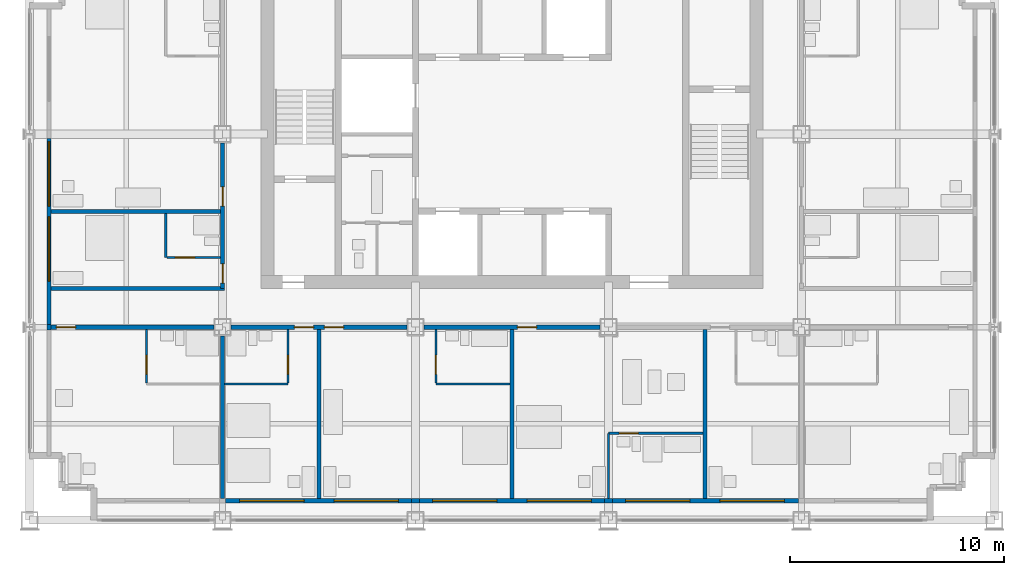
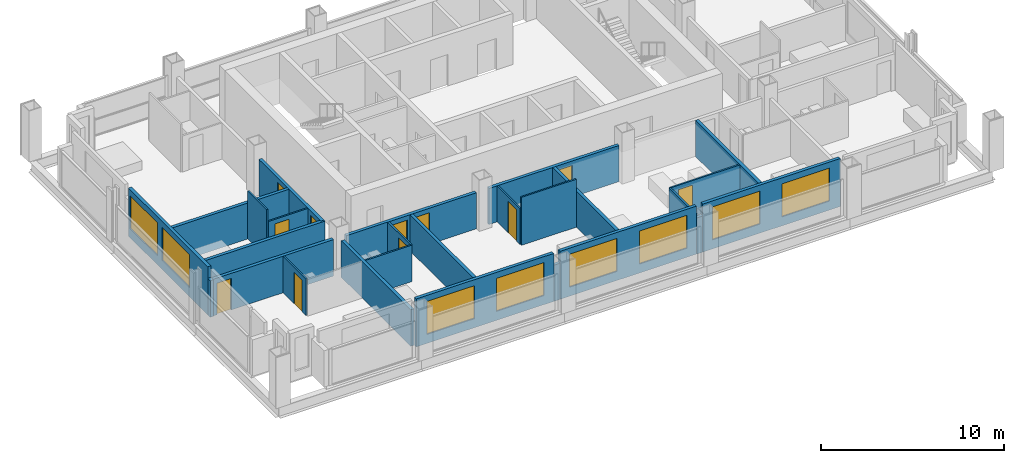
# One storey, part 7 of 13: 26 walls, 11 doors, 8 windows, 19 openings.
"""IFC4 building model written with IfcOpenShell, lengths in metres."""

from ifc_helpers import new_model, si_unit, direction, frame, frame_2d, origin, place, context, subcontext, project, spatial, rectangle, extrude, material, layer, layer_set, type_object, element, fill, save


model = new_model("IFC4")

# Units and contexts
model_context = context("Model", 3, precision=1e-05, world=origin(), true_north=direction((0.0, 1.0)))
body_context = subcontext(model_context, "Body", "Model", "MODEL_VIEW")
ifc_project = project(units=[si_unit("LENGTHUNIT", "METRE"), si_unit("AREAUNIT", "SQUARE_METRE"), si_unit("VOLUMEUNIT", "CUBIC_METRE"), si_unit("PLANEANGLEUNIT", "RADIAN"), si_unit("MASSUNIT", "GRAM", prefix="KILO")], contexts=[model_context])

# Site, building, storey
site_placement = place(None, origin())
site = spatial("IfcSite", under=ifc_project, at=site_placement, CompositionType="ELEMENT")
building_placement = place(site_placement, origin())
building = spatial("IfcBuilding", under=site, at=building_placement, Name="Loomwork Tower", CompositionType="ELEMENT")
storey_placement = place(building_placement, frame((0.0, 0.0, 204.60009765625)))
storey = spatial("IfcBuildingStorey", under=building, at=storey_placement, Name="L56", CompositionType="ELEMENT", Elevation=204.60009765625)

# Wall, opening, door
ifc_material_1 = material(Name="Gypsum board on steel studs, one-hour", Category="steel")
ifc_layer_1 = layer(ifc_material_1, 0.199951171875)
ifc_layer_set_1 = layer_set([ifc_layer_1], Name="Corridor wall 200")
wall_type_1 = type_object("IfcWallType", Name="Corridor wall 200", PredefinedType="PARTITIONING", material=ifc_layer_set_1)
wall_1_placement = place(storey_placement, frame((1.0, 9.0, 0.0), z_axis=(0.0, 0.0, 1.0), x_axis=(1.0, 0.0, 0.0)))
wall_1 = element("IfcWall", 1, at=wall_1_placement, inside=storey, type_object=wall_type_1, Name="South corridor wall 1", PredefinedType="PARTITIONING", context=body_context, shape_type="SweptSolid", body=[
    extrude(rectangle(XDim=7.60009765625, YDim=0.199951171875, at=frame_2d((3.800048828125, 0.0))), origin(), (0.0, 0.0, 1.0), 2.43798828125),
])
opening_1_placement = place(wall_1_placement, frame((0.25, 0.0, 0.0)))
opening_1 = element("IfcOpeningElement", 2, at=opening_1_placement, cuts=wall_1, Name="Opening D1", PredefinedType="OPENING", context=body_context, shape_type="SweptSolid", body=[
    extrude(rectangle(XDim=0.89990234375, YDim=2.10009765625, at=frame_2d((0.449951171875, 1.050048828125))), frame((0.0, 0.10986328125, 0.0), z_axis=(0.0, -1.0, 0.0), x_axis=(1.0, 0.0, 0.0)), (0.0, 0.0, 1.0), 0.219970703125),
])
ifc_material_2 = material(Name="Hollow metal door and frame")
door_type_1 = type_object("IfcDoorType", Name="Guest room entry door 900", OperationType="SINGLE_SWING_LEFT", PredefinedType="DOOR", material=ifc_material_2)
door_1_placement = place(opening_1_placement, frame((0.89990234375, 0.0, 0.0), z_axis=(0.0, 0.0, 1.0), x_axis=(-1.0, 0.0, 0.0)))
door_1 = element("IfcDoor", 3, at=door_1_placement, inside=storey, type_object=door_type_1, Name="Guest room entry door L56 1", OperationType="SINGLE_SWING_RIGHT", OverallHeight=2.10009765625, OverallWidth=0.89990234375, PredefinedType="DOOR", context=body_context, shape_type="SweptSolid", body=[
    extrude(rectangle(XDim=0.89990234375, YDim=2.10009765625, at=frame_2d((0.449951171875, 1.050048828125))), frame((0.0, 0.02490234375, 0.0), z_axis=(0.0, -1.0, 0.0), x_axis=(1.0, 0.0, 0.0)), (0.0, 0.0, 1.0), 0.050048828125),
])
fill(opening_1, door_1)

# Wall, openings, doors
wall_2_placement = place(storey_placement, frame((9.39990234375, 9.0, 0.0), z_axis=(0.0, 0.0, 1.0), x_axis=(1.0, 0.0, 0.0)))
wall_2 = element("IfcWall", 4, at=wall_2_placement, inside=storey, type_object=wall_type_1, Name="South corridor wall 2", PredefinedType="PARTITIONING", context=body_context, shape_type="SweptSolid", body=[
    extrude(rectangle(XDim=8.2001953125, YDim=0.199951171875, at=frame_2d((4.10009765625, 0.0))), origin(), (0.0, 0.0, 1.0), 2.40478515625),
])
opening_2_placement = place(wall_2_placement, frame((2.949951171875, 0.0, 0.0)))
opening_2 = element("IfcOpeningElement", 5, at=opening_2_placement, cuts=wall_2, Name="Opening D1", PredefinedType="OPENING", context=body_context, shape_type="SweptSolid", body=[
    extrude(rectangle(XDim=0.89990234375, YDim=2.10009765625, at=frame_2d((0.449951171875, 1.050048828125))), frame((0.0, 0.10986328125, 0.0), z_axis=(0.0, -1.0, 0.0), x_axis=(1.0, 0.0, 0.0)), (0.0, 0.0, 1.0), 0.219970703125),
])
opening_3_placement = place(wall_2_placement, frame((4.35009765625, 0.0, 0.0)))
opening_3 = element("IfcOpeningElement", 6, at=opening_3_placement, cuts=wall_2, Name="Opening D1", PredefinedType="OPENING", context=body_context, shape_type="SweptSolid", body=[
    extrude(rectangle(XDim=0.89990234375, YDim=2.10009765625, at=frame_2d((0.449951171875, 1.050048828125))), frame((0.0, 0.10986328125, 0.0), z_axis=(0.0, -1.0, 0.0), x_axis=(1.0, 0.0, 0.0)), (0.0, 0.0, 1.0), 0.219970703125),
])
door_2_placement = place(opening_2_placement, frame((0.89990234375, 0.0, 0.0), z_axis=(0.0, 0.0, 1.0), x_axis=(-1.0, 0.0, 0.0)))
door_2 = element("IfcDoor", 7, at=door_2_placement, inside=storey, type_object=door_type_1, Name="Guest room entry door L56 2", OperationType="SINGLE_SWING_LEFT", OverallHeight=2.10009765625, OverallWidth=0.89990234375, PredefinedType="DOOR", context=body_context, shape_type="SweptSolid", body=[
    extrude(rectangle(XDim=0.89990234375, YDim=2.10009765625, at=frame_2d((0.449951171875, 1.050048828125))), frame((0.0, 0.02490234375, 0.0), z_axis=(0.0, -1.0, 0.0), x_axis=(1.0, 0.0, 0.0)), (0.0, 0.0, 1.0), 0.050048828125),
])
fill(opening_2, door_2)
door_3_placement = place(opening_3_placement, frame((0.89990234375, 0.0, 0.0), z_axis=(0.0, 0.0, 1.0), x_axis=(-1.0, 0.0, 0.0)))
door_3 = element("IfcDoor", 8, at=door_3_placement, inside=storey, type_object=door_type_1, Name="Guest room entry door L56 3", OperationType="SINGLE_SWING_RIGHT", OverallHeight=2.10009765625, OverallWidth=0.89990234375, PredefinedType="DOOR", context=body_context, shape_type="SweptSolid", body=[
    extrude(rectangle(XDim=0.89990234375, YDim=2.10009765625, at=frame_2d((0.449951171875, 1.050048828125))), frame((0.0, 0.02490234375, 0.0), z_axis=(0.0, -1.0, 0.0), x_axis=(1.0, 0.0, 0.0)), (0.0, 0.0, 1.0), 0.050048828125),
])
fill(opening_3, door_3)

# Wall, opening, door
wall_3_placement = place(storey_placement, frame((18.39990234375, 9.0, 0.0), z_axis=(0.0, 0.0, 1.0), x_axis=(1.0, 0.0, 0.0)))
wall_3 = element("IfcWall", 9, at=wall_3_placement, inside=storey, type_object=wall_type_1, Name="South corridor wall 3", PredefinedType="PARTITIONING", context=body_context, shape_type="SweptSolid", body=[
    extrude(rectangle(XDim=8.2001953125, YDim=0.199951171875, at=frame_2d((4.10009765625, 0.0))), origin(), (0.0, 0.0, 1.0), 2.40478515625),
])
opening_4_placement = place(wall_3_placement, frame((4.35009765625, 0.0, 0.0)))
opening_4 = element("IfcOpeningElement", 10, at=opening_4_placement, cuts=wall_3, Name="Opening D1", PredefinedType="OPENING", context=body_context, shape_type="SweptSolid", body=[
    extrude(rectangle(XDim=0.89990234375, YDim=2.10009765625, at=frame_2d((0.449951171875, 1.050048828125))), frame((0.0, 0.10986328125, 0.0), z_axis=(0.0, -1.0, 0.0), x_axis=(1.0, 0.0, 0.0)), (0.0, 0.0, 1.0), 0.219970703125),
])
door_4_placement = place(opening_4_placement, frame((0.89990234375, 0.0, 0.0), z_axis=(0.0, 0.0, 1.0), x_axis=(-1.0, 0.0, 0.0)))
door_4 = element("IfcDoor", 11, at=door_4_placement, inside=storey, type_object=door_type_1, Name="Guest room entry door L56 4", OperationType="SINGLE_SWING_RIGHT", OverallHeight=2.10009765625, OverallWidth=0.89990234375, PredefinedType="DOOR", context=body_context, shape_type="SweptSolid", body=[
    extrude(rectangle(XDim=0.89990234375, YDim=2.10009765625, at=frame_2d((0.449951171875, 1.050048828125))), frame((0.0, 0.02490234375, 0.0), z_axis=(0.0, -1.0, 0.0), x_axis=(1.0, 0.0, 0.0)), (0.0, 0.0, 1.0), 0.050048828125),
])
fill(opening_4, door_4)

# Wall, openings, doors
wall_4_placement = place(storey_placement, frame((9.0, 10.800048828125, 0.0), z_axis=(0.0, 0.0, 1.0), x_axis=(0.0, 1.0, 0.0)))
wall_4 = element("IfcWall", 12, at=wall_4_placement, inside=storey, type_object=wall_type_1, Name="West corridor wall 1", PredefinedType="PARTITIONING", context=body_context, shape_type="SweptSolid", body=[
    extrude(rectangle(XDim=6.800048828125, YDim=0.199951171875, at=frame_2d((3.39990234375, 0.0))), origin(), (0.0, 0.0, 1.0), 2.40478515625),
])
opening_5_placement = place(wall_4_placement, frame((0.25, 0.0, 0.0)))
opening_5 = element("IfcOpeningElement", 13, at=opening_5_placement, cuts=wall_4, Name="Opening D1", PredefinedType="OPENING", context=body_context, shape_type="SweptSolid", body=[
    extrude(rectangle(XDim=0.89990234375, YDim=2.10009765625, at=frame_2d((0.449951171875, 1.050048828125))), frame((0.0, 0.10986328125, 0.0), z_axis=(0.0, -1.0, 0.0), x_axis=(1.0, 0.0, 0.0)), (0.0, 0.0, 1.0), 0.219970703125),
])
opening_6_placement = place(wall_4_placement, frame((3.85009765625, 0.0, 0.0)))
opening_6 = element("IfcOpeningElement", 14, at=opening_6_placement, cuts=wall_4, Name="Opening D1", PredefinedType="OPENING", context=body_context, shape_type="SweptSolid", body=[
    extrude(rectangle(XDim=0.89990234375, YDim=2.10009765625, at=frame_2d((0.449951171875, 1.050048828125))), frame((0.0, 0.10986328125, 0.0), z_axis=(0.0, -1.0, 0.0), x_axis=(1.0, 0.0, 0.0)), (0.0, 0.0, 1.0), 0.219970703125),
])
door_5_placement = place(opening_5_placement, origin())
door_5 = element("IfcDoor", 15, at=door_5_placement, inside=storey, type_object=door_type_1, Name="Guest room entry door L56 7", OperationType="SINGLE_SWING_LEFT", OverallHeight=2.10009765625, OverallWidth=0.89990234375, PredefinedType="DOOR", context=body_context, shape_type="SweptSolid", body=[
    extrude(rectangle(XDim=0.89990234375, YDim=2.10009765625, at=frame_2d((0.449951171875, 1.050048828125))), frame((0.0, 0.02490234375, 0.0), z_axis=(0.0, -1.0, 0.0), x_axis=(1.0, 0.0, 0.0)), (0.0, 0.0, 1.0), 0.050048828125),
])
fill(opening_5, door_5)
door_6_placement = place(opening_6_placement, origin())
door_6 = element("IfcDoor", 16, at=door_6_placement, inside=storey, type_object=door_type_1, Name="Guest room entry door L56 8", OperationType="SINGLE_SWING_LEFT", OverallHeight=2.10009765625, OverallWidth=0.89990234375, PredefinedType="DOOR", context=body_context, shape_type="SweptSolid", body=[
    extrude(rectangle(XDim=0.89990234375, YDim=2.10009765625, at=frame_2d((0.449951171875, 1.050048828125))), frame((0.0, 0.02490234375, 0.0), z_axis=(0.0, -1.0, 0.0), x_axis=(1.0, 0.0, 0.0)), (0.0, 0.0, 1.0), 0.050048828125),
])
fill(opening_6, door_6)

# Wall
wall_5_placement = place(storey_placement, frame((1.0, 10.800048828125, 0.0), z_axis=(0.0, 0.0, 1.0), x_axis=(1.0, 0.0, 0.0)))
element("IfcWall", 17, at=wall_5_placement, inside=storey, type_object=wall_type_1, Name="West band end wall S", PredefinedType="PARTITIONING", context=body_context, shape_type="SweptSolid", body=[
    extrude(rectangle(XDim=8.10009765625, YDim=0.199951171875, at=frame_2d((4.050048828125, 0.0))), origin(), (0.0, 0.0, 1.0), 2.40380859375),
])

# Wall, opening, door
ifc_material_3 = material(Name="Cement board on steel studs", Category="steel")
ifc_layer_2 = layer(ifc_material_3, 0.10009765625)
ifc_layer_set_2 = layer_set([ifc_layer_2], Name="En-suite partition 100")
wall_type_2 = type_object("IfcWallType", Name="En-suite partition 100", PredefinedType="PARTITIONING", material=ifc_layer_set_2)
wall_6_placement = place(storey_placement, frame((5.449951171875, 8.89990234375, 0.0), z_axis=(0.0, 0.0, 1.0), x_axis=(0.0, -1.0, 0.0)))
wall_6 = element("IfcWall", 18, at=wall_6_placement, inside=storey, type_object=wall_type_2, Name="En-suite side wall L56 room 1", PredefinedType="PARTITIONING", context=body_context, shape_type="SweptSolid", body=[
    extrude(rectangle(XDim=2.5, YDim=0.10009765625, at=frame_2d((1.25, 0.0))), origin(), (0.0, 0.0, 1.0), 2.43798828125),
])
opening_7_placement = place(wall_6_placement, frame((1.199951171875, 0.0, 0.0)))
opening_7 = element("IfcOpeningElement", 19, at=opening_7_placement, cuts=wall_6, Name="Opening D3", PredefinedType="OPENING", context=body_context, shape_type="SweptSolid", body=[
    extrude(rectangle(XDim=0.89990234375, YDim=2.10009765625, at=frame_2d((0.449951171875, 1.050048828125))), frame((0.0, 0.06005859375, 0.0), z_axis=(0.0, -1.0, 0.0), x_axis=(1.0, 0.0, 0.0)), (0.0, 0.0, 1.0), 0.1201171875),
])
ifc_material_4 = material(Name="Hollow metal door and frame")
door_type_2 = type_object("IfcDoorType", Name="Accessible en-suite door 900", OperationType="SLIDING_TO_LEFT", PredefinedType="DOOR", material=ifc_material_4)
door_7_placement = place(opening_7_placement, origin())
door_7 = element("IfcDoor", 20, at=door_7_placement, inside=storey, type_object=door_type_2, Name="Accessible en-suite door room 1", OperationType="SLIDING_TO_LEFT", OverallHeight=2.10009765625, OverallWidth=0.89990234375, PredefinedType="DOOR", context=body_context, shape_type="SweptSolid", body=[
    extrude(rectangle(XDim=0.89990234375, YDim=2.10009765625, at=frame_2d((0.449951171875, 1.050048828125))), frame((0.0, 0.02490234375, 0.0), z_axis=(0.0, -1.0, 0.0), x_axis=(1.0, 0.0, 0.0)), (0.0, 0.0, 1.0), 0.050048828125),
])
fill(opening_7, door_7)

# Wall
wall_7_placement = place(storey_placement, frame((9.10009765625, 6.35009765625, 0.0), z_axis=(0.0, 0.0, 1.0), x_axis=(1.0, 0.0, 0.0)))
element("IfcWall", 21, at=wall_7_placement, inside=storey, type_object=wall_type_2, Name="En-suite wall L56 room 2", PredefinedType="PARTITIONING", context=body_context, shape_type="SweptSolid", body=[
    extrude(rectangle(XDim=2.949951171875, YDim=0.10009765625, at=frame_2d((1.47509765625, 0.0))), origin(), (0.0, 0.0, 1.0), 2.43798828125),
])

# Wall, opening, door
wall_8_placement = place(storey_placement, frame((12.050048828125, 8.89990234375, 0.0), z_axis=(0.0, 0.0, 1.0), x_axis=(0.0, -1.0, 0.0)))
wall_8 = element("IfcWall", 22, at=wall_8_placement, inside=storey, type_object=wall_type_2, Name="En-suite side wall L56 room 2", PredefinedType="PARTITIONING", context=body_context, shape_type="SweptSolid", body=[
    extrude(rectangle(XDim=2.5, YDim=0.10009765625, at=frame_2d((1.25, 0.0))), origin(), (0.0, 0.0, 1.0), 2.40380859375),
])
opening_8_placement = place(wall_8_placement, frame((1.199951171875, 0.0, 0.0)))
opening_8 = element("IfcOpeningElement", 23, at=opening_8_placement, cuts=wall_8, Name="Opening D2", PredefinedType="OPENING", context=body_context, shape_type="SweptSolid", body=[
    extrude(rectangle(XDim=0.89990234375, YDim=2.10009765625, at=frame_2d((0.449951171875, 1.050048828125))), frame((0.0, 0.06005859375, 0.0), z_axis=(0.0, -1.0, 0.0), x_axis=(1.0, 0.0, 0.0)), (0.0, 0.0, 1.0), 0.1201171875),
])
ifc_material_5 = material(Name="Hollow metal door and frame")
door_type_3 = type_object("IfcDoorType", Name="En-suite door 900", OperationType="SINGLE_SWING_LEFT", PredefinedType="DOOR", material=ifc_material_5)
door_8_placement = place(opening_8_placement, frame((0.89990234375, 0.0, 0.0), z_axis=(0.0, 0.0, 1.0), x_axis=(-1.0, 0.0, 0.0)))
door_8 = element("IfcDoor", 24, at=door_8_placement, inside=storey, type_object=door_type_3, Name="En-suite door room 2", OperationType="SINGLE_SWING_LEFT", OverallHeight=2.10009765625, OverallWidth=0.89990234375, PredefinedType="DOOR", context=body_context, shape_type="SweptSolid", body=[
    extrude(rectangle(XDim=0.89990234375, YDim=2.10009765625, at=frame_2d((0.449951171875, 1.050048828125))), frame((0.0, 0.02490234375, 0.0), z_axis=(0.0, -1.0, 0.0), x_axis=(1.0, 0.0, 0.0)), (0.0, 0.0, 1.0), 0.050048828125),
])
fill(opening_8, door_8)

# Wall
wall_9_placement = place(storey_placement, frame((18.949951171875, 6.35009765625, 0.0), z_axis=(0.0, 0.0, 1.0), x_axis=(1.0, 0.0, 0.0)))
element("IfcWall", 25, at=wall_9_placement, inside=storey, type_object=wall_type_2, Name="En-suite wall L56 room 3", PredefinedType="PARTITIONING", context=body_context, shape_type="SweptSolid", body=[
    extrude(rectangle(XDim=3.449951171875, YDim=0.10009765625, at=frame_2d((1.72509765625, 0.0))), origin(), (0.0, 0.0, 1.0), 3.199951171875),
])

# Wall, opening, door
wall_10_placement = place(storey_placement, frame((18.949951171875, 8.89990234375, 0.0), z_axis=(0.0, 0.0, 1.0), x_axis=(0.0, -1.0, 0.0)))
wall_10 = element("IfcWall", 26, at=wall_10_placement, inside=storey, type_object=wall_type_2, Name="En-suite side wall L56 room 3", PredefinedType="PARTITIONING", context=body_context, shape_type="SweptSolid", body=[
    extrude(rectangle(XDim=2.5, YDim=0.10009765625, at=frame_2d((1.25, 0.0))), origin(), (0.0, 0.0, 1.0), 2.40380859375),
])
opening_9_placement = place(wall_10_placement, frame((1.199951171875, 0.0, 0.0)))
opening_9 = element("IfcOpeningElement", 27, at=opening_9_placement, cuts=wall_10, Name="Opening D2", PredefinedType="OPENING", context=body_context, shape_type="SweptSolid", body=[
    extrude(rectangle(XDim=0.89990234375, YDim=2.10009765625, at=frame_2d((0.449951171875, 1.050048828125))), frame((0.0, 0.06005859375, 0.0), z_axis=(0.0, -1.0, 0.0), x_axis=(1.0, 0.0, 0.0)), (0.0, 0.0, 1.0), 0.1201171875),
])
door_9_placement = place(opening_9_placement, origin())
door_9 = element("IfcDoor", 28, at=door_9_placement, inside=storey, type_object=door_type_3, Name="En-suite door room 3", OperationType="SINGLE_SWING_RIGHT", OverallHeight=2.10009765625, OverallWidth=0.89990234375, PredefinedType="DOOR", context=body_context, shape_type="SweptSolid", body=[
    extrude(rectangle(XDim=0.89990234375, YDim=2.10009765625, at=frame_2d((0.449951171875, 1.050048828125))), frame((0.0, 0.02490234375, 0.0), z_axis=(0.0, -1.0, 0.0), x_axis=(1.0, 0.0, 0.0)), (0.0, 0.0, 1.0), 0.050048828125),
])
fill(opening_9, door_9)

wall_11_placement = place(storey_placement, frame((27.0, 4.050048828125, 0.0), z_axis=(0.0, 0.0, 1.0), x_axis=(1.0, 0.0, 0.0)))
wall_11 = element("IfcWall", 29, at=wall_11_placement, inside=storey, type_object=wall_type_2, Name="Spa bathroom wall L56 room 4", PredefinedType="PARTITIONING", context=body_context, shape_type="SweptSolid", body=[
    extrude(rectangle(XDim=4.39990234375, YDim=0.10009765625, at=frame_2d((2.199951171875, 0.0))), origin(), (0.0, 0.0, 1.0), 2.40380859375),
])
opening_10_placement = place(wall_11_placement, frame((0.5, 0.0, 0.0)))
opening_10 = element("IfcOpeningElement", 30, at=opening_10_placement, cuts=wall_11, Name="Opening D2", PredefinedType="OPENING", context=body_context, shape_type="SweptSolid", body=[
    extrude(rectangle(XDim=0.89990234375, YDim=2.10009765625, at=frame_2d((0.449951171875, 1.050048828125))), frame((0.0, 0.06005859375, 0.0), z_axis=(0.0, -1.0, 0.0), x_axis=(1.0, 0.0, 0.0)), (0.0, 0.0, 1.0), 0.1201171875),
])
door_10_placement = place(opening_10_placement, frame((0.89990234375, 0.0, 0.0), z_axis=(0.0, 0.0, 1.0), x_axis=(-1.0, 0.0, 0.0)))
door_10 = element("IfcDoor", 31, at=door_10_placement, inside=storey, type_object=door_type_3, Name="Spa bathroom door room 4", OperationType="SINGLE_SWING_RIGHT", OverallHeight=2.10009765625, OverallWidth=0.89990234375, PredefinedType="DOOR", context=body_context, shape_type="SweptSolid", body=[
    extrude(rectangle(XDim=0.89990234375, YDim=2.10009765625, at=frame_2d((0.449951171875, 1.050048828125))), frame((0.0, 0.02490234375, 0.0), z_axis=(0.0, -1.0, 0.0), x_axis=(1.0, 0.0, 0.0)), (0.0, 0.0, 1.0), 0.050048828125),
])
fill(opening_10, door_10)

# Walls
wall_12_placement = place(storey_placement, frame((27.0, 4.050048828125, 0.0), z_axis=(0.0, 0.0, 1.0), x_axis=(0.0, -1.0, 0.0)))
element("IfcWall", 32, at=wall_12_placement, inside=storey, type_object=wall_type_2, Name="Spa bathroom side wall L56 room 4", PredefinedType="PARTITIONING", context=body_context, shape_type="SweptSolid", body=[
    extrude(rectangle(XDim=3.050048828125, YDim=0.10009765625, at=frame_2d((1.52490234375, 0.0))), origin(), (0.0, 0.0, 1.0), 2.40478515625),
])
wall_13_placement = place(storey_placement, frame((6.35009765625, 12.25, 0.0), z_axis=(0.0, 0.0, 1.0), x_axis=(0.0, 1.0, 0.0)))
element("IfcWall", 33, at=wall_13_placement, inside=storey, type_object=wall_type_2, Name="En-suite wall L56 room 7", PredefinedType="PARTITIONING", context=body_context, shape_type="SweptSolid", body=[
    extrude(rectangle(XDim=2.050048828125, YDim=0.10009765625, at=frame_2d((1.02490234375, 0.0))), origin(), (0.0, 0.0, 1.0), 3.199951171875),
])

# Wall, opening, door
wall_14_placement = place(storey_placement, frame((8.89990234375, 12.25, 0.0), z_axis=(0.0, 0.0, 1.0), x_axis=(-1.0, 0.0, 0.0)))
wall_14 = element("IfcWall", 34, at=wall_14_placement, inside=storey, type_object=wall_type_2, Name="En-suite side wall L56 room 7", PredefinedType="PARTITIONING", context=body_context, shape_type="SweptSolid", body=[
    extrude(rectangle(XDim=2.5, YDim=0.10009765625, at=frame_2d((1.25, 0.0))), origin(), (0.0, 0.0, 1.0), 2.40380859375),
])
opening_11_placement = place(wall_14_placement, frame((1.199951171875, 0.0, 0.0)))
opening_11 = element("IfcOpeningElement", 35, at=opening_11_placement, cuts=wall_14, Name="Opening D2", PredefinedType="OPENING", context=body_context, shape_type="SweptSolid", body=[
    extrude(rectangle(XDim=0.89990234375, YDim=2.10009765625, at=frame_2d((0.449951171875, 1.050048828125))), frame((0.0, 0.06005859375, 0.0), z_axis=(0.0, -1.0, 0.0), x_axis=(1.0, 0.0, 0.0)), (0.0, 0.0, 1.0), 0.1201171875),
])
door_11_placement = place(opening_11_placement, frame((0.89990234375, 0.0, 0.0), z_axis=(0.0, 0.0, 1.0), x_axis=(-1.0, 0.0, 0.0)))
door_11 = element("IfcDoor", 36, at=door_11_placement, inside=storey, type_object=door_type_3, Name="En-suite door room 7", OperationType="SINGLE_SWING_LEFT", OverallHeight=2.10009765625, OverallWidth=0.89990234375, PredefinedType="DOOR", context=body_context, shape_type="SweptSolid", body=[
    extrude(rectangle(XDim=0.89990234375, YDim=2.10009765625, at=frame_2d((0.449951171875, 1.050048828125))), frame((0.0, 0.02490234375, 0.0), z_axis=(0.0, -1.0, 0.0), x_axis=(1.0, 0.0, 0.0)), (0.0, 0.0, 1.0), 0.050048828125),
])
fill(opening_11, door_11)

# Walls
ifc_material_6 = material(Name="Gypsum board on steel studs, acoustic", Category="steel")
ifc_layer_3 = layer(ifc_material_6, 0.199951171875)
ifc_layer_set_3 = layer_set([ifc_layer_3], Name="Guest room party wall 200")
wall_type_3 = type_object("IfcWallType", Name="Guest room party wall 200", PredefinedType="PARTITIONING", material=ifc_layer_set_3)
wall_15_placement = place(storey_placement, frame((9.0, 8.60009765625, 0.0), z_axis=(0.0, 0.0, 1.0), x_axis=(0.0, -1.0, 0.0)))
element("IfcWall", 37, at=wall_15_placement, inside=storey, type_object=wall_type_3, Name="Guest room party wall S 9", PredefinedType="PARTITIONING", context=body_context, shape_type="SweptSolid", body=[
    extrude(rectangle(XDim=7.60009765625, YDim=0.199951171875, at=frame_2d((3.800048828125, 0.0))), origin(), (0.0, 0.0, 1.0), 2.43798828125),
])
for number, where, z_axis, x_axis, name in (
    (38, (13.5, 8.89990234375, 0.0), (0.0, 0.0, 1.0), (0.0, -1.0, 0.0), "Guest room party wall S 13.5"),
    (39, (22.5, 8.89990234375, 0.0), (0.0, 0.0, 1.0), (0.0, -1.0, 0.0), "Guest room party wall S 22.5"),
    (40, (31.5, 8.89990234375, 0.0), (0.0, 0.0, 1.0), (0.0, -1.0, 0.0), "Guest room party wall S 31.5"),
    (41, (8.89990234375, 14.39990234375, 0.0), (0.0, 0.0, 1.0), (-1.0, 0.0, 0.0), "Guest room party wall W 14.4"),
):
    element("IfcWall", number, at=place(storey_placement, frame(where, z_axis=z_axis, x_axis=x_axis)), inside=storey, type_object=wall_type_3, Name=name, PredefinedType="PARTITIONING", context=body_context, shape_type="SweptSolid", body=[
        extrude(rectangle(XDim=7.89990234375, YDim=0.199951171875, at=frame_2d((3.949951171875, 0.0))), origin(), (0.0, 0.0, 1.0), 2.40380859375),
    ])

# Wall, openings, windows
ifc_material_7 = material(Name="Insulated steel stud wall with gypsum lining", Category="steel")
ifc_layer_4 = layer(ifc_material_7, 0.199951171875)
ifc_layer_set_4 = layer_set([ifc_layer_4], Name="Inner skin wall 200")
wall_type_4 = type_object("IfcWallType", Name="Inner skin wall 200", PredefinedType="SOLIDWALL", material=ifc_layer_set_4)
wall_16_placement = place(storey_placement, frame((9.13525390625, 0.89990234375, 0.0), z_axis=(0.0, 0.0, 1.0), x_axis=(1.0, 0.0, 0.0)))
wall_16 = element("IfcWall", 42, at=wall_16_placement, inside=storey, type_object=wall_type_4, Name="Inner skin wall S bay 3", PredefinedType="SOLIDWALL", context=body_context, shape_type="SweptSolid", body=[
    extrude(rectangle(XDim=8.6708984375, YDim=0.199951171875, at=frame_2d((4.33544921875, 0.0))), origin(), (0.0, 0.0, 1.0), 3.199951171875),
])
opening_12_placement = place(wall_16_placement, frame((0.664794921875, 0.0, 0.60009765625)))
opening_12 = element("IfcOpeningElement", 43, at=opening_12_placement, cuts=wall_16, Name="Opening CH1", PredefinedType="OPENING", context=body_context, shape_type="SweptSolid", body=[
    extrude(rectangle(XDim=3.0, YDim=2.199951171875, at=frame_2d((1.5, 1.10009765625))), frame((0.0, 0.10986328125, 0.0), z_axis=(0.0, -1.0, 0.0), x_axis=(1.0, 0.0, 0.0)), (0.0, 0.0, 1.0), 0.219970703125),
])
opening_13_placement = place(wall_16_placement, frame((5.064697265625, 0.0, 0.60009765625)))
opening_13 = element("IfcOpeningElement", 44, at=opening_13_placement, cuts=wall_16, Name="Opening CH1", PredefinedType="OPENING", context=body_context, shape_type="SweptSolid", body=[
    extrude(rectangle(XDim=3.0, YDim=2.199951171875, at=frame_2d((1.5, 1.10009765625))), frame((0.0, 0.10986328125, 0.0), z_axis=(0.0, -1.0, 0.0), x_axis=(1.0, 0.0, 0.0)), (0.0, 0.0, 1.0), 0.219970703125),
])
ifc_material_8 = material(Name="Aluminium frame with clear insulated glass", Category="aluminium")
window_type = type_object("IfcWindowType", Name="Chicago window 3000", PartitioningType="TRIPLE_PANEL_VERTICAL", PredefinedType="WINDOW", material=ifc_material_8)
window_1_placement = place(opening_12_placement, origin())
window_1 = element("IfcWindow", 45, at=window_1_placement, inside=storey, type_object=window_type, Name="Chicago window L56 bay 2", OverallHeight=2.199951171875, OverallWidth=3.0, PartitioningType="TRIPLE_PANEL_VERTICAL", PredefinedType="WINDOW", context=body_context, shape_type="SweptSolid", body=[
    extrude(rectangle(XDim=3.0, YDim=2.199951171875, at=frame_2d((1.5, 1.10009765625))), frame((0.0, 0.030029296875, 0.0), z_axis=(0.0, -1.0, 0.0), x_axis=(1.0, 0.0, 0.0)), (0.0, 0.0, 1.0), 0.06005859375),
])
fill(opening_12, window_1)
window_2_placement = place(opening_13_placement, origin())
window_2 = element("IfcWindow", 46, at=window_2_placement, inside=storey, type_object=window_type, Name="Chicago window L56 bay 2", OverallHeight=2.199951171875, OverallWidth=3.0, PartitioningType="TRIPLE_PANEL_VERTICAL", PredefinedType="WINDOW", context=body_context, shape_type="SweptSolid", body=[
    extrude(rectangle(XDim=3.0, YDim=2.199951171875, at=frame_2d((1.5, 1.10009765625))), frame((0.0, 0.030029296875, 0.0), z_axis=(0.0, -1.0, 0.0), x_axis=(1.0, 0.0, 0.0)), (0.0, 0.0, 1.0), 0.06005859375),
])
fill(opening_13, window_2)

# Wall
wall_17_placement = place(storey_placement, frame((17.80615234375, 0.89990234375, 0.0), z_axis=(0.0, 0.0, 1.0), x_axis=(1.0, 0.0, 0.0)))
element("IfcWall", 47, at=wall_17_placement, inside=storey, type_object=wall_type_4, Name="Inner skin wall S bay 4", PredefinedType="SOLIDWALL", context=body_context, shape_type="SweptSolid", body=[
    extrude(rectangle(XDim=0.3876953125, YDim=0.199951171875, at=frame_2d((0.19384765625, 0.0))), origin(), (0.0, 0.0, 1.0), 2.40380859375),
])

# Wall, openings, windows
wall_18_placement = place(storey_placement, frame((18.19384765625, 0.89990234375, 0.0), z_axis=(0.0, 0.0, 1.0), x_axis=(1.0, 0.0, 0.0)))
wall_18 = element("IfcWall", 48, at=wall_18_placement, inside=storey, type_object=wall_type_4, Name="Inner skin wall S bay 5", PredefinedType="SOLIDWALL", context=body_context, shape_type="SweptSolid", body=[
    extrude(rectangle(XDim=8.6123046875, YDim=0.199951171875, at=frame_2d((4.30615234375, 0.0))), origin(), (0.0, 0.0, 1.0), 3.199951171875),
])
opening_14_placement = place(wall_18_placement, frame((0.606201171875, 0.0, 0.60009765625)))
opening_14 = element("IfcOpeningElement", 49, at=opening_14_placement, cuts=wall_18, Name="Opening CH1", PredefinedType="OPENING", context=body_context, shape_type="SweptSolid", body=[
    extrude(rectangle(XDim=3.0, YDim=2.199951171875, at=frame_2d((1.5, 1.10009765625))), frame((0.0, 0.10986328125, 0.0), z_axis=(0.0, -1.0, 0.0), x_axis=(1.0, 0.0, 0.0)), (0.0, 0.0, 1.0), 0.219970703125),
])
opening_15_placement = place(wall_18_placement, frame((5.006103515625, 0.0, 0.60009765625)))
opening_15 = element("IfcOpeningElement", 50, at=opening_15_placement, cuts=wall_18, Name="Opening CH1", PredefinedType="OPENING", context=body_context, shape_type="SweptSolid", body=[
    extrude(rectangle(XDim=3.0, YDim=2.199951171875, at=frame_2d((1.5, 1.10009765625))), frame((0.0, 0.10986328125, 0.0), z_axis=(0.0, -1.0, 0.0), x_axis=(1.0, 0.0, 0.0)), (0.0, 0.0, 1.0), 0.219970703125),
])
window_3_placement = place(opening_14_placement, origin())
window_3 = element("IfcWindow", 51, at=window_3_placement, inside=storey, type_object=window_type, Name="Chicago window L56 bay 3", OverallHeight=2.199951171875, OverallWidth=3.0, PartitioningType="TRIPLE_PANEL_VERTICAL", PredefinedType="WINDOW", context=body_context, shape_type="SweptSolid", body=[
    extrude(rectangle(XDim=3.0, YDim=2.199951171875, at=frame_2d((1.5, 1.10009765625))), frame((0.0, 0.030029296875, 0.0), z_axis=(0.0, -1.0, 0.0), x_axis=(1.0, 0.0, 0.0)), (0.0, 0.0, 1.0), 0.06005859375),
])
fill(opening_14, window_3)
window_4_placement = place(opening_15_placement, origin())
window_4 = element("IfcWindow", 52, at=window_4_placement, inside=storey, type_object=window_type, Name="Chicago window L56 bay 3", OverallHeight=2.199951171875, OverallWidth=3.0, PartitioningType="TRIPLE_PANEL_VERTICAL", PredefinedType="WINDOW", context=body_context, shape_type="SweptSolid", body=[
    extrude(rectangle(XDim=3.0, YDim=2.199951171875, at=frame_2d((1.5, 1.10009765625))), frame((0.0, 0.030029296875, 0.0), z_axis=(0.0, -1.0, 0.0), x_axis=(1.0, 0.0, 0.0)), (0.0, 0.0, 1.0), 0.06005859375),
])
fill(opening_15, window_4)

# Wall
wall_19_placement = place(storey_placement, frame((26.80615234375, 0.89990234375, 0.0), z_axis=(0.0, 0.0, 1.0), x_axis=(1.0, 0.0, 0.0)))
element("IfcWall", 53, at=wall_19_placement, inside=storey, type_object=wall_type_4, Name="Inner skin wall S bay 6", PredefinedType="SOLIDWALL", context=body_context, shape_type="SweptSolid", body=[
    extrude(rectangle(XDim=0.3876953125, YDim=0.199951171875, at=frame_2d((0.19384765625, 0.0))), origin(), (0.0, 0.0, 1.0), 2.40380859375),
])

# Wall, openings, windows
wall_20_placement = place(storey_placement, frame((27.19384765625, 0.89990234375, 0.0), z_axis=(0.0, 0.0, 1.0), x_axis=(1.0, 0.0, 0.0)))
wall_20 = element("IfcWall", 54, at=wall_20_placement, inside=storey, type_object=wall_type_4, Name="Inner skin wall S bay 7", PredefinedType="SOLIDWALL", context=body_context, shape_type="SweptSolid", body=[
    extrude(rectangle(XDim=8.670654296875, YDim=0.199951171875, at=frame_2d((4.33544921875, 0.0))), origin(), (0.0, 0.0, 1.0), 3.199951171875),
])
opening_16_placement = place(wall_20_placement, frame((0.606201171875, 0.0, 0.60009765625)))
opening_16 = element("IfcOpeningElement", 55, at=opening_16_placement, cuts=wall_20, Name="Opening CH1", PredefinedType="OPENING", context=body_context, shape_type="SweptSolid", body=[
    extrude(rectangle(XDim=3.0, YDim=2.199951171875, at=frame_2d((1.5, 1.10009765625))), frame((0.0, 0.10986328125, 0.0), z_axis=(0.0, -1.0, 0.0), x_axis=(1.0, 0.0, 0.0)), (0.0, 0.0, 1.0), 0.219970703125),
])
opening_17_placement = place(wall_20_placement, frame((5.006103515625, 0.0, 0.60009765625)))
opening_17 = element("IfcOpeningElement", 56, at=opening_17_placement, cuts=wall_20, Name="Opening CH1", PredefinedType="OPENING", context=body_context, shape_type="SweptSolid", body=[
    extrude(rectangle(XDim=3.0, YDim=2.199951171875, at=frame_2d((1.5, 1.10009765625))), frame((0.0, 0.10986328125, 0.0), z_axis=(0.0, -1.0, 0.0), x_axis=(1.0, 0.0, 0.0)), (0.0, 0.0, 1.0), 0.219970703125),
])
window_5_placement = place(opening_16_placement, origin())
window_5 = element("IfcWindow", 57, at=window_5_placement, inside=storey, type_object=window_type, Name="Chicago window L56 bay 4", OverallHeight=2.199951171875, OverallWidth=3.0, PartitioningType="TRIPLE_PANEL_VERTICAL", PredefinedType="WINDOW", context=body_context, shape_type="SweptSolid", body=[
    extrude(rectangle(XDim=3.0, YDim=2.199951171875, at=frame_2d((1.5, 1.10009765625))), frame((0.0, 0.030029296875, 0.0), z_axis=(0.0, -1.0, 0.0), x_axis=(1.0, 0.0, 0.0)), (0.0, 0.0, 1.0), 0.06005859375),
])
fill(opening_16, window_5)
window_6_placement = place(opening_17_placement, origin())
window_6 = element("IfcWindow", 58, at=window_6_placement, inside=storey, type_object=window_type, Name="Chicago window L56 bay 4", OverallHeight=2.199951171875, OverallWidth=3.0, PartitioningType="TRIPLE_PANEL_VERTICAL", PredefinedType="WINDOW", context=body_context, shape_type="SweptSolid", body=[
    extrude(rectangle(XDim=3.0, YDim=2.199951171875, at=frame_2d((1.5, 1.10009765625))), frame((0.0, 0.030029296875, 0.0), z_axis=(0.0, -1.0, 0.0), x_axis=(1.0, 0.0, 0.0)), (0.0, 0.0, 1.0), 0.06005859375),
])
fill(opening_17, window_6)

# Wall
wall_21_placement = place(storey_placement, frame((0.89990234375, 8.86474609375, 0.0), z_axis=(0.0, 0.0, 1.0), x_axis=(0.0, 1.0, 0.0)))
element("IfcWall", 59, at=wall_21_placement, inside=storey, type_object=wall_type_4, Name="Inner skin wall W bay 4", PredefinedType="SOLIDWALL", context=body_context, shape_type="SweptSolid", body=[
    extrude(rectangle(XDim=0.2705078125, YDim=0.199951171875, at=frame_2d((0.13525390625, 0.0))), origin(), (0.0, 0.0, 1.0), 2.43798828125),
])

# Wall, openings, windows
wall_22_placement = place(storey_placement, frame((0.89990234375, 9.13525390625, 0.0), z_axis=(0.0, 0.0, 1.0), x_axis=(0.0, 1.0, 0.0)))
wall_22 = element("IfcWall", 60, at=wall_22_placement, inside=storey, type_object=wall_type_4, Name="Inner skin wall W bay 5", PredefinedType="SOLIDWALL", context=body_context, shape_type="SweptSolid", body=[
    extrude(rectangle(XDim=8.6708984375, YDim=0.199951171875, at=frame_2d((4.33544921875, 0.0))), origin(), (0.0, 0.0, 1.0), 3.199951171875),
])
opening_18_placement = place(wall_22_placement, frame((2.0146484375, 0.0, 0.60009765625)))
opening_18 = element("IfcOpeningElement", 61, at=opening_18_placement, cuts=wall_22, Name="Opening CH1", PredefinedType="OPENING", context=body_context, shape_type="SweptSolid", body=[
    extrude(rectangle(XDim=3.0, YDim=2.199951171875, at=frame_2d((1.5, 1.10009765625))), frame((0.0, 0.10986328125, 0.0), z_axis=(0.0, -1.0, 0.0), x_axis=(1.0, 0.0, 0.0)), (0.0, 0.0, 1.0), 0.219970703125),
])
opening_19_placement = place(wall_22_placement, frame((5.5146484375, 0.0, 0.60009765625)))
opening_19 = element("IfcOpeningElement", 62, at=opening_19_placement, cuts=wall_22, Name="Opening CH1", PredefinedType="OPENING", context=body_context, shape_type="SweptSolid", body=[
    extrude(rectangle(XDim=3.0, YDim=2.199951171875, at=frame_2d((1.5, 1.10009765625))), frame((0.0, 0.10986328125, 0.0), z_axis=(0.0, -1.0, 0.0), x_axis=(1.0, 0.0, 0.0)), (0.0, 0.0, 1.0), 0.219970703125),
])
window_7_placement = place(opening_18_placement, origin())
window_7 = element("IfcWindow", 63, at=window_7_placement, inside=storey, type_object=window_type, Name="Chicago window L56 bay 6", OverallHeight=2.199951171875, OverallWidth=3.0, PartitioningType="TRIPLE_PANEL_VERTICAL", PredefinedType="WINDOW", context=body_context, shape_type="SweptSolid", body=[
    extrude(rectangle(XDim=3.0, YDim=2.199951171875, at=frame_2d((1.5, 1.10009765625))), frame((0.0, 0.030029296875, 0.0), z_axis=(0.0, -1.0, 0.0), x_axis=(1.0, 0.0, 0.0)), (0.0, 0.0, 1.0), 0.06005859375),
])
fill(opening_18, window_7)
window_8_placement = place(opening_19_placement, origin())
window_8 = element("IfcWindow", 64, at=window_8_placement, inside=storey, type_object=window_type, Name="Chicago window L56 bay 6", OverallHeight=2.199951171875, OverallWidth=3.0, PartitioningType="TRIPLE_PANEL_VERTICAL", PredefinedType="WINDOW", context=body_context, shape_type="SweptSolid", body=[
    extrude(rectangle(XDim=3.0, YDim=2.199951171875, at=frame_2d((1.5, 1.10009765625))), frame((0.0, 0.030029296875, 0.0), z_axis=(0.0, -1.0, 0.0), x_axis=(1.0, 0.0, 0.0)), (0.0, 0.0, 1.0), 0.06005859375),
])
fill(opening_19, window_8)

save(model, "model.ifc")
